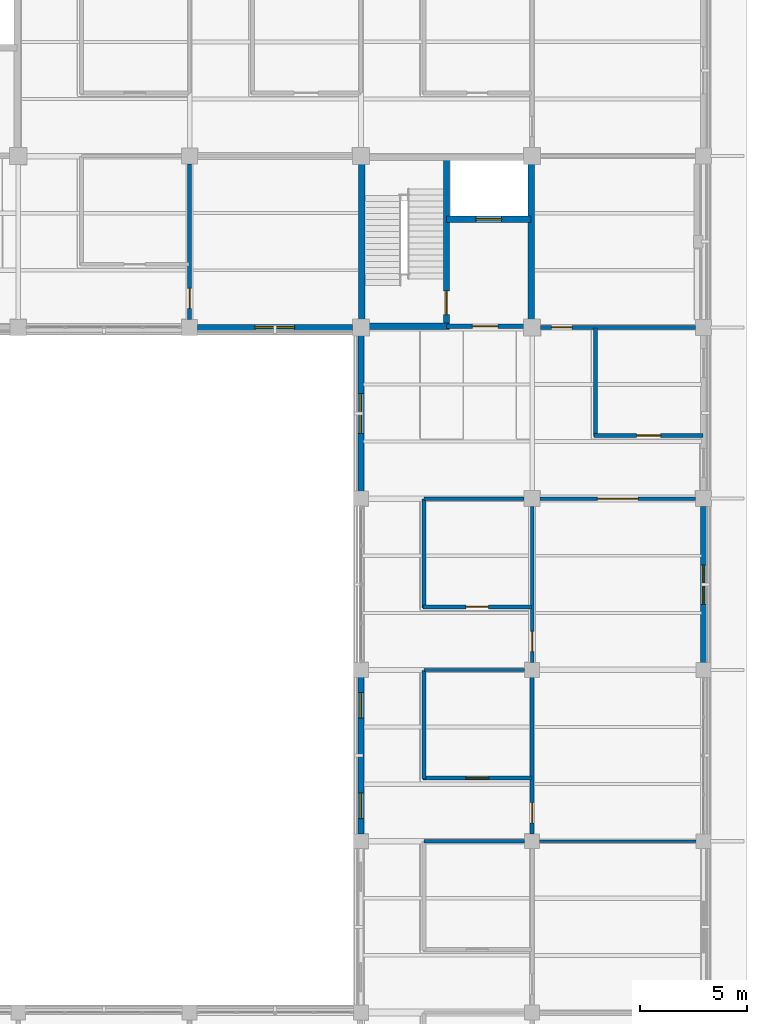
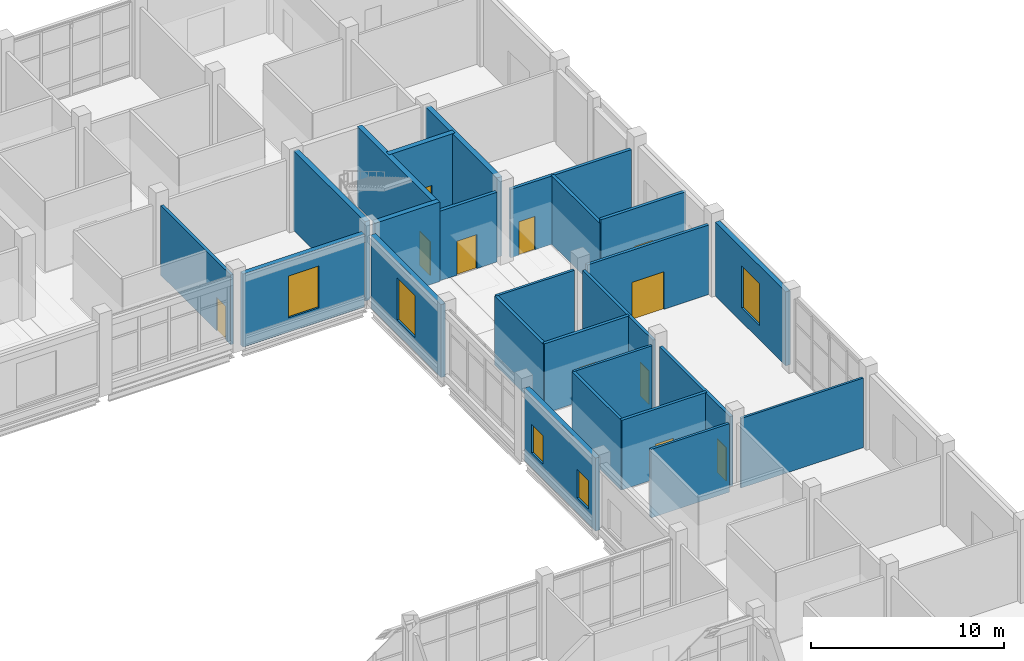
# One storey, part 79 of 105: 25 walls, 11 doors, 5 windows, 16 openings.
"""IFC4 building model written with IfcOpenShell, lengths in metres."""

from ifc_helpers import new_model, si_unit, derived_unit, direction, frame, frame_2d, origin, place, context, subcontext, project, spatial, rectangle, extrude, material, layer, layer_set, type_object, element, fill, save


model = new_model("IFC4")

# Units and contexts
model_context = context("Model", 3, precision=1e-05, world=origin(), true_north=direction((0.0, 1.0)))
body_context = subcontext(model_context, "Body", "Model", "MODEL_VIEW")
ifc_project = project(units=[si_unit("LENGTHUNIT", "METRE"), si_unit("AREAUNIT", "SQUARE_METRE"), si_unit("VOLUMEUNIT", "CUBIC_METRE"), si_unit("PLANEANGLEUNIT", "RADIAN"), si_unit("MASSUNIT", "GRAM", prefix="KILO"), derived_unit("THERMALTRANSMITTANCEUNIT", [(si_unit("MASSUNIT", "GRAM", prefix="KILO"), 1), (si_unit("TIMEUNIT", "SECOND"), -3), (si_unit("THERMODYNAMICTEMPERATUREUNIT", "KELVIN"), -1)])], contexts=[model_context])

# Site, building, storey
site_placement = place(None, origin())
site = spatial("IfcSite", under=ifc_project, at=site_placement, CompositionType="ELEMENT")
building_placement = place(site_placement, origin())
building = spatial("IfcBuilding", under=site, at=building_placement, Name="Veyamyaing Civic Hall", CompositionType="ELEMENT")
storey_placement = place(building_placement, origin())
storey = spatial("IfcBuildingStorey", under=building, at=storey_placement, Name="L00", CompositionType="ELEMENT", Elevation=0.0)

# Wall, opening, window
ifc_material_1 = material(Name="Precast concrete C40/50", Category="concrete")
ifc_layer_1 = layer(ifc_material_1, 0.280029296875, Name="Precast concrete C40/50")
ifc_layer_set_1 = layer_set([ifc_layer_1], Name="Precast concrete C40/50")
wall_type_1 = type_object("IfcWallType", Name="WT-04", PredefinedType="SOLIDWALL", material=ifc_layer_set_1)
wall_1_placement = place(storey_placement, frame((152.360107421875, 88.0, 0.0), z_axis=(0.0, 0.0, 1.0), x_axis=(1.0, 0.0, 0.0)))
wall_1 = element("IfcWall", 1, at=wall_1_placement, inside=storey, type_object=wall_type_1, Name="Exterior facade wall WT-04 L00 S 20.12", PredefinedType="SOLIDWALL", context=body_context, shape_type="SweptSolid", body=[
    extrude(rectangle(XDim=7.2548828125, YDim=0.280029296875, at=frame_2d((3.62744140625, 0.0))), origin(), (0.0, 0.0, 1.0), 4.614013671875),
])
opening_1_placement = place(wall_1_placement, frame((2.702392578125, 0.0, 0.89990234375)))
opening_1 = element("IfcOpeningElement", 2, at=opening_1_placement, cuts=wall_1, Name="Opening W-03", PredefinedType="OPENING", context=body_context, shape_type="SweptSolid", body=[
    extrude(rectangle(XDim=1.85009765625, YDim=2.64990234375, at=frame_2d((0.925048828125, 1.324951171875))), frame((0.0, 0.14990234375, 0.0), z_axis=(0.0, -1.0, 0.0), x_axis=(1.0, 0.0, 0.0)), (0.0, 0.0, 1.0), 0.300048828125),
])
ifc_material_2 = material(Name="Low-E insulated glass", Category="glass")
window_type_1 = type_object("IfcWindowType", Name="W-03", PartitioningType="SINGLE_PANEL", PredefinedType="WINDOW", material=ifc_material_2)
window_1_placement = place(opening_1_placement, origin())
window_1 = element("IfcWindow", 3, at=window_1_placement, inside=storey, type_object=window_type_1, Name="Facade window W-03 L00 S 20.12", OverallHeight=2.64990234375, OverallWidth=1.85009765625, PartitioningType="SINGLE_PANEL", PredefinedType="WINDOW", context=body_context, shape_type="SweptSolid", body=[
    extrude(rectangle(XDim=1.85009765625, YDim=2.64990234375, at=frame_2d((0.925048828125, 1.324951171875))), frame((0.0, 0.030029296875, 0.0), z_axis=(0.0, -1.0, 0.0), x_axis=(1.0, 0.0, 0.0)), (0.0, 0.0, 1.0), 0.06005859375),
])
fill(opening_1, window_1)

# Wall, openings, windows
wall_2_placement = place(storey_placement, frame((160.0, 64.3349609375, 0.0), z_axis=(0.0, 0.0, 1.0), x_axis=(0.0, 1.0, 0.0)))
wall_2 = element("IfcWall", 4, at=wall_2_placement, inside=storey, type_object=wall_type_1, Name="Exterior facade wall WT-04 L00 W 21.9", PredefinedType="SOLIDWALL", context=body_context, shape_type="SweptSolid", body=[
    extrude(rectangle(XDim=7.330078125, YDim=0.280029296875, at=frame_2d((3.6650390625, 0.0))), origin(), (0.0, 0.0, 1.0), 4.614990234375),
])
opening_2_placement = place(wall_2_placement, frame((0.719482421875, 0.0, 0.949951171875)))
opening_2 = element("IfcOpeningElement", 5, at=opening_2_placement, cuts=wall_2, Name="Opening W-14", PredefinedType="OPENING", context=body_context, shape_type="SweptSolid", body=[
    extrude(rectangle(XDim=1.199951171875, YDim=1.800048828125, at=frame_2d((0.60009765625, 0.89990234375))), frame((0.0, 0.14990234375, 0.0), z_axis=(0.0, -1.0, 0.0), x_axis=(1.0, 0.0, 0.0)), (0.0, 0.0, 1.0), 0.300048828125),
])
opening_3_placement = place(wall_2_placement, frame((5.41064453125, 0.0, 0.949951171875)))
opening_3 = element("IfcOpeningElement", 6, at=opening_3_placement, cuts=wall_2, Name="Opening W-14", PredefinedType="OPENING", context=body_context, shape_type="SweptSolid", body=[
    extrude(rectangle(XDim=1.199951171875, YDim=1.800048828125, at=frame_2d((0.60009765625, 0.89990234375))), frame((0.0, 0.14990234375, 0.0), z_axis=(0.0, -1.0, 0.0), x_axis=(1.0, 0.0, 0.0)), (0.0, 0.0, 1.0), 0.300048828125),
])
window_type_2 = type_object("IfcWindowType", Name="W-14", PartitioningType="SINGLE_PANEL", PredefinedType="WINDOW", material=ifc_material_2)
window_2_placement = place(opening_2_placement, origin())
window_2 = element("IfcWindow", 7, at=window_2_placement, inside=storey, type_object=window_type_2, Name="Facade window W-14 L00 W 21.9.1", OverallHeight=1.800048828125, OverallWidth=1.199951171875, PartitioningType="SINGLE_PANEL", PredefinedType="WINDOW", context=body_context, shape_type="SweptSolid", body=[
    extrude(rectangle(XDim=1.199951171875, YDim=1.800048828125, at=frame_2d((0.60009765625, 0.89990234375))), frame((0.0, 0.030029296875, 0.0), z_axis=(0.0, -1.0, 0.0), x_axis=(1.0, 0.0, 0.0)), (0.0, 0.0, 1.0), 0.06005859375),
])
fill(opening_2, window_2)
window_3_placement = place(opening_3_placement, origin())
window_3 = element("IfcWindow", 8, at=window_3_placement, inside=storey, type_object=window_type_2, Name="Facade window W-14 L00 W 21.9.2", OverallHeight=1.800048828125, OverallWidth=1.199951171875, PartitioningType="SINGLE_PANEL", PredefinedType="WINDOW", context=body_context, shape_type="SweptSolid", body=[
    extrude(rectangle(XDim=1.199951171875, YDim=1.800048828125, at=frame_2d((0.60009765625, 0.89990234375))), frame((0.0, 0.030029296875, 0.0), z_axis=(0.0, -1.0, 0.0), x_axis=(1.0, 0.0, 0.0)), (0.0, 0.0, 1.0), 0.06005859375),
])
fill(opening_3, window_3)

# Wall, opening, window
wall_3_placement = place(storey_placement, frame((160.0, 80.3349609375, 0.0), z_axis=(0.0, 0.0, 1.0), x_axis=(0.0, 1.0, 0.0)))
wall_3 = element("IfcWall", 9, at=wall_3_placement, inside=storey, type_object=wall_type_1, Name="Exterior facade wall WT-04 L00 W 21.11", PredefinedType="SOLIDWALL", context=body_context, shape_type="SweptSolid", body=[
    extrude(rectangle(XDim=7.280029296875, YDim=0.280029296875, at=frame_2d((3.64013671875, 0.0))), origin(), (0.0, 0.0, 1.0), 4.618896484375),
])
opening_4_placement = place(wall_3_placement, frame((2.715087890625, 0.0, 0.89990234375)))
opening_4 = element("IfcOpeningElement", 10, at=opening_4_placement, cuts=wall_3, Name="Opening W-03", PredefinedType="OPENING", context=body_context, shape_type="SweptSolid", body=[
    extrude(rectangle(XDim=1.85009765625, YDim=2.64990234375, at=frame_2d((0.925048828125, 1.324951171875))), frame((0.0, 0.14990234375, 0.0), z_axis=(0.0, -1.0, 0.0), x_axis=(1.0, 0.0, 0.0)), (0.0, 0.0, 1.0), 0.300048828125),
])
window_4_placement = place(opening_4_placement, origin())
window_4 = element("IfcWindow", 11, at=window_4_placement, inside=storey, type_object=window_type_1, Name="Facade window W-03 L00 W 21.11", OverallHeight=2.64990234375, OverallWidth=1.85009765625, PartitioningType="SINGLE_PANEL", PredefinedType="WINDOW", context=body_context, shape_type="SweptSolid", body=[
    extrude(rectangle(XDim=1.85009765625, YDim=2.64990234375, at=frame_2d((0.925048828125, 1.324951171875))), frame((0.0, 0.030029296875, 0.0), z_axis=(0.0, -1.0, 0.0), x_axis=(1.0, 0.0, 0.0)), (0.0, 0.0, 1.0), 0.06005859375),
])
fill(opening_4, window_4)

wall_4_placement = place(storey_placement, frame((176.0, 72.3349609375, 0.0), z_axis=(0.0, 0.0, 1.0), x_axis=(0.0, 1.0, 0.0)))
wall_4 = element("IfcWall", 12, at=wall_4_placement, inside=storey, type_object=wall_type_1, Name="Exterior facade wall WT-04 L00 E 22.10", PredefinedType="SOLIDWALL", context=body_context, shape_type="SweptSolid", body=[
    extrude(rectangle(XDim=7.304931640625, YDim=0.280029296875, at=frame_2d((3.65234375, 0.0))), origin(), (0.0, 0.0, 1.0), 4.677001953125),
])
opening_5_placement = place(wall_4_placement, frame((2.7275390625, 0.0, 0.89990234375)))
opening_5 = element("IfcOpeningElement", 13, at=opening_5_placement, cuts=wall_4, Name="Opening W-03", PredefinedType="OPENING", context=body_context, shape_type="SweptSolid", body=[
    extrude(rectangle(XDim=1.85009765625, YDim=2.64990234375, at=frame_2d((0.925048828125, 1.324951171875))), frame((0.0, 0.14990234375, 0.0), z_axis=(0.0, -1.0, 0.0), x_axis=(1.0, 0.0, 0.0)), (0.0, 0.0, 1.0), 0.300048828125),
])
window_5_placement = place(opening_5_placement, origin())
window_5 = element("IfcWindow", 14, at=window_5_placement, inside=storey, type_object=window_type_1, Name="Facade window W-03 L00 E 22.10", OverallHeight=2.64990234375, OverallWidth=1.85009765625, PartitioningType="SINGLE_PANEL", PredefinedType="WINDOW", context=body_context, shape_type="SweptSolid", body=[
    extrude(rectangle(XDim=1.85009765625, YDim=2.64990234375, at=frame_2d((0.925048828125, 1.324951171875))), frame((0.0, 0.030029296875, 0.0), z_axis=(0.0, -1.0, 0.0), x_axis=(1.0, 0.0, 0.0)), (0.0, 0.0, 1.0), 0.06005859375),
])
fill(opening_5, window_5)

# Walls
ifc_material_3 = material(Name="Concrete C40/50", Category="concrete")
ifc_layer_2 = layer(ifc_material_3, 0.300048828125, Name="Concrete C40/50")
ifc_layer_set_2 = layer_set([ifc_layer_2], Name="Concrete C40/50")
wall_type_2 = type_object("IfcWallType", Name="WT-05", PredefinedType="SHEAR", material=ifc_layer_set_2)
for number, where, z_axis, x_axis, name in (
    (15, (160.050048828125, 88.2900390625, 0.0), (0.0, 0.0, 1.0), (0.0, 1.0, 0.0), "Core shear wall WT-05 CORE-3 L00.W"),
    (16, (167.949951171875, 88.2900390625, 0.0), (0.0, 0.0, 1.0), (0.0, 1.0, 0.0), "Core shear wall WT-05 CORE-3 L00.E"),
):
    element("IfcWall", number, at=place(storey_placement, frame(where, z_axis=z_axis, x_axis=x_axis)), inside=storey, type_object=wall_type_2, Name=name, PredefinedType="SHEAR", context=body_context, shape_type="SweptSolid", body=[
        extrude(rectangle(XDim=7.419921875, YDim=0.300048828125, at=frame_2d((3.7099609375, 0.0))), origin(), (0.0, 0.0, 1.0), 5.034912109375),
    ])
wall_5_placement = place(storey_placement, frame((160.2900390625, 88.050048828125, 0.0), z_axis=(0.0, 0.0, 1.0), x_axis=(1.0, 0.0, 0.0)))
element("IfcWall", 17, at=wall_5_placement, inside=storey, type_object=wall_type_2, Name="Core shear wall WT-05 CORE-3 L00.SS", PredefinedType="SHEAR", context=body_context, shape_type="SweptSolid", body=[
    extrude(rectangle(XDim=3.85986328125, YDim=0.300048828125, at=frame_2d((1.929931640625, 0.0))), origin(), (0.0, 0.0, 1.0), 5.034912109375),
])

# Wall, opening, door
wall_6_placement = place(storey_placement, frame((164.0, 88.050048828125, 0.0), z_axis=(0.0, 0.0, 1.0), x_axis=(0.0, 1.0, 0.0)))
wall_6 = element("IfcWall", 18, at=wall_6_placement, inside=storey, type_object=wall_type_2, Name="Core shear wall WT-05 CORE-3 L00.MID", PredefinedType="SHEAR", context=body_context, shape_type="SweptSolid", body=[
    extrude(rectangle(XDim=7.89990234375, YDim=0.300048828125, at=frame_2d((3.949951171875, 0.0))), origin(), (0.0, 0.0, 1.0), 5.034912109375),
])
opening_6_placement = place(wall_6_placement, frame((0.550048828125, 0.0, 0.0)))
opening_6 = element("IfcOpeningElement", 19, at=opening_6_placement, cuts=wall_6, Name="Opening D-03", PredefinedType="OPENING", context=body_context, shape_type="SweptSolid", body=[
    extrude(rectangle(XDim=1.10009765625, YDim=2.14990234375, at=frame_2d((0.550048828125, 1.074951171875))), frame((0.0, 0.159912109375, 0.0), z_axis=(0.0, -1.0, 0.0), x_axis=(1.0, 0.0, 0.0)), (0.0, 0.0, 1.0), 0.320068359375),
])
ifc_material_4 = material(Name="Galvanized steel S355J2", Category="steel")
door_type_1 = type_object("IfcDoorType", Name="D-03", OperationType="NOTDEFINED", PredefinedType="DOOR", material=ifc_material_4)
door_1_placement = place(opening_6_placement, frame((1.10009765625, 0.0, 0.0), z_axis=(0.0, 0.0, 1.0), x_axis=(-1.0, 0.0, 0.0)))
door_1 = element("IfcDoor", 20, at=door_1_placement, inside=storey, type_object=door_type_1, Name="Exit stair fire door D-03 ST-03 L00", OperationType="SINGLE_SWING_RIGHT", OverallHeight=2.14990234375, OverallWidth=1.10009765625, PredefinedType="DOOR", context=body_context, shape_type="SweptSolid", body=[
    extrude(rectangle(XDim=1.10009765625, YDim=2.14990234375, at=frame_2d((0.550048828125, 1.074951171875))), frame((0.0, 0.02490234375, 0.0), z_axis=(0.0, -1.0, 0.0), x_axis=(1.0, 0.0, 0.0)), (0.0, 0.0, 1.0), 0.050048828125),
])
fill(opening_6, door_1)

wall_7_placement = place(storey_placement, frame((164.0, 93.050048828125, 0.0), z_axis=(0.0, 0.0, 1.0), x_axis=(1.0, 0.0, 0.0)))
wall_7 = element("IfcWall", 21, at=wall_7_placement, inside=storey, type_object=wall_type_2, Name="Core shear wall WT-05 CORE-3 L00.LFT", PredefinedType="SHEAR", context=body_context, shape_type="SweptSolid", body=[
    extrude(rectangle(XDim=3.949951171875, YDim=0.300048828125, at=frame_2d((1.97509765625, 0.0))), origin(), (0.0, 0.0, 1.0), 5.034912109375),
])
opening_7_placement = place(wall_7_placement, frame((1.375, 0.0, 0.0)))
opening_7 = element("IfcOpeningElement", 22, at=opening_7_placement, cuts=wall_7, Name="Opening LD-02", PredefinedType="OPENING", context=body_context, shape_type="SweptSolid", body=[
    extrude(rectangle(XDim=1.199951171875, YDim=2.199951171875, at=frame_2d((0.60009765625, 1.10009765625))), frame((0.0, 0.159912109375, 0.0), z_axis=(0.0, -1.0, 0.0), x_axis=(1.0, 0.0, 0.0)), (0.0, 0.0, 1.0), 0.320068359375),
])
door_type_2 = type_object("IfcDoorType", Name="LD-02", OperationType="SLIDING_TO_LEFT", PredefinedType="DOOR", material=ifc_material_4)
door_2_placement = place(opening_7_placement, origin())
door_2 = element("IfcDoor", 23, at=door_2_placement, inside=storey, type_object=door_type_2, Name="Lift sliding landing door LD-02 FL-02 L00", OperationType="SLIDING_TO_LEFT", OverallHeight=2.199951171875, OverallWidth=1.199951171875, PredefinedType="DOOR", context=body_context, shape_type="SweptSolid", body=[
    extrude(rectangle(XDim=1.199951171875, YDim=2.199951171875, at=frame_2d((0.60009765625, 1.10009765625))), frame((0.0, 0.02490234375, 0.0), z_axis=(0.0, -1.0, 0.0), x_axis=(1.0, 0.0, 0.0)), (0.0, 0.0, 1.0), 0.050048828125),
])
fill(opening_7, door_2)

ifc_layer_3 = layer(ifc_material_3, 0.199951171875, Name="Concrete C40/50")
ifc_layer_set_3 = layer_set([ifc_layer_3], Name="Concrete C40/50")
wall_type_3 = type_object("IfcWallType", Name="WT-06", PredefinedType="PARTITIONING", material=ifc_layer_set_3)
wall_8_placement = place(storey_placement, frame((164.0, 88.050048828125, 0.0), z_axis=(0.0, 0.0, 1.0), x_axis=(1.0, 0.0, 0.0)))
wall_8 = element("IfcWall", 24, at=wall_8_placement, inside=storey, type_object=wall_type_3, Name="Firefighting lift lobby wall WT-06 CORE-3 L00", PredefinedType="PARTITIONING", context=body_context, shape_type="SweptSolid", body=[
    extrude(rectangle(XDim=3.610107421875, YDim=0.199951171875, at=frame_2d((1.80517578125, 0.0))), origin(), (0.0, 0.0, 1.0), 4.404052734375),
])
opening_8_placement = place(wall_8_placement, frame((1.205078125, 0.0, 0.0)))
opening_8 = element("IfcOpeningElement", 25, at=opening_8_placement, cuts=wall_8, Name="Opening D-04", PredefinedType="OPENING", context=body_context, shape_type="SweptSolid", body=[
    extrude(rectangle(XDim=1.199951171875, YDim=2.14990234375, at=frame_2d((0.60009765625, 1.074951171875))), frame((0.0, 0.10986328125, 0.0), z_axis=(0.0, -1.0, 0.0), x_axis=(1.0, 0.0, 0.0)), (0.0, 0.0, 1.0), 0.219970703125),
])
door_type_3 = type_object("IfcDoorType", Name="D-04", OperationType="NOTDEFINED", PredefinedType="DOOR", material=ifc_material_4)
door_3_placement = place(opening_8_placement, frame((1.199951171875, 0.0, 0.0), z_axis=(0.0, 0.0, 1.0), x_axis=(-1.0, 0.0, 0.0)))
door_3 = element("IfcDoor", 26, at=door_3_placement, inside=storey, type_object=door_type_3, Name="Protected lobby fire door D-04 CORE-3 L00", OperationType="SINGLE_SWING_LEFT", OverallHeight=2.14990234375, OverallWidth=1.199951171875, PredefinedType="DOOR", context=body_context, shape_type="SweptSolid", body=[
    extrude(rectangle(XDim=1.199951171875, YDim=2.14990234375, at=frame_2d((0.60009765625, 1.074951171875))), frame((0.0, 0.02490234375, 0.0), z_axis=(0.0, -1.0, 0.0), x_axis=(1.0, 0.0, 0.0)), (0.0, 0.0, 1.0), 0.050048828125),
])
fill(opening_8, door_3)

ifc_material_5 = material(Name="Gypsum board on acoustic steel stud", Category="steel")
ifc_layer_4 = layer(ifc_material_5, 0.175048828125, Name="Gypsum board on acoustic steel stud")
ifc_layer_set_4 = layer_set([ifc_layer_4], Name="Gypsum board on acoustic steel stud")
wall_type_4 = type_object("IfcWallType", Name="WT-07", PredefinedType="PARTITIONING", material=ifc_layer_set_4)
wall_9_placement = place(storey_placement, frame((162.89990234375, 66.949951171875, 0.0), z_axis=(0.0, 0.0, 1.0), x_axis=(1.0, 0.0, 0.0)))
wall_9 = element("IfcWall", 27, at=wall_9_placement, inside=storey, type_object=wall_type_4, Name="Corridor gallery partition WT-07 L00.73.1", PredefinedType="PARTITIONING", context=body_context, shape_type="SweptSolid", body=[
    extrude(rectangle(XDim=5.080078125, YDim=0.175048828125, at=frame_2d((2.5400390625, 0.0))), origin(), (0.0, 0.0, 1.0), 4.412109375),
])
opening_9_placement = place(wall_9_placement, frame((2.0, 0.0, 0.0)))
opening_9 = element("IfcOpeningElement", 28, at=opening_9_placement, cuts=wall_9, Name="Opening D-23", PredefinedType="OPENING", context=body_context, shape_type="SweptSolid", body=[
    extrude(rectangle(XDim=1.080078125, YDim=2.199951171875, at=frame_2d((0.5400390625, 1.10009765625))), frame((0.0, 0.097412109375, 0.0), z_axis=(0.0, -1.0, 0.0), x_axis=(1.0, 0.0, 0.0)), (0.0, 0.0, 1.0), 0.195068359375),
])
ifc_material_6 = material(Name="Teak-veneered acoustic timber", Category="wood")
door_type_4 = type_object("IfcDoorType", Name="D-23", OperationType="NOTDEFINED", PredefinedType="DOOR", material=ifc_material_6)
door_4_placement = place(opening_9_placement, origin())
door_4 = element("IfcDoor", 29, at=door_4_placement, inside=storey, type_object=door_type_4, Name="Gallery office door D-23 L00.73", OperationType="SINGLE_SWING_RIGHT", OverallHeight=2.199951171875, OverallWidth=1.080078125, PredefinedType="DOOR", context=body_context, shape_type="SweptSolid", body=[
    extrude(rectangle(XDim=1.080078125, YDim=2.199951171875, at=frame_2d((0.5400390625, 1.10009765625))), frame((0.0, 0.02490234375, 0.0), z_axis=(0.0, -1.0, 0.0), x_axis=(1.0, 0.0, 0.0)), (0.0, 0.0, 1.0), 0.050048828125),
])
fill(opening_9, door_4)

# Wall
wall_10_placement = place(storey_placement, frame((162.949951171875, 66.89990234375, 0.0), z_axis=(0.0, 0.0, 1.0), x_axis=(0.0, 1.0, 0.0)))
element("IfcWall", 30, at=wall_10_placement, inside=storey, type_object=wall_type_4, Name="Corridor gallery partition WT-07 L00.73.2", PredefinedType="PARTITIONING", context=body_context, shape_type="SweptSolid", body=[
    extrude(rectangle(XDim=5.080078125, YDim=0.175048828125, at=frame_2d((2.5400390625, 0.0))), origin(), (0.0, 0.0, 1.0), 4.407958984375),
])

# Wall, opening, door
wall_11_placement = place(storey_placement, frame((152.0, 88.364990234375, 0.0), z_axis=(0.0, 0.0, 1.0), x_axis=(0.0, 1.0, 0.0)))
wall_11 = element("IfcWall", 31, at=wall_11_placement, inside=storey, type_object=wall_type_4, Name="Interior partition wall WT-07 L00.133", PredefinedType="PARTITIONING", context=body_context, shape_type="SweptSolid", body=[
    extrude(rectangle(XDim=7.27001953125, YDim=0.175048828125, at=frame_2d((3.635009765625, 0.0))), origin(), (0.0, 0.0, 1.0), 4.404052734375),
])
opening_10_placement = place(wall_11_placement, frame((0.52001953125, 0.0, 0.0)))
opening_10 = element("IfcOpeningElement", 32, at=opening_10_placement, cuts=wall_11, Name="Opening D-30", PredefinedType="OPENING", context=body_context, shape_type="SweptSolid", body=[
    extrude(rectangle(XDim=0.93994140625, YDim=2.1201171875, at=frame_2d((0.469970703125, 1.06005859375))), frame((0.0, 0.097412109375, 0.0), z_axis=(0.0, -1.0, 0.0), x_axis=(1.0, 0.0, 0.0)), (0.0, 0.0, 1.0), 0.195068359375),
])
door_type_5 = type_object("IfcDoorType", Name="D-30", OperationType="NOTDEFINED", PredefinedType="DOOR", material=ifc_material_6)
door_5_placement = place(opening_10_placement, frame((0.93994140625, 0.0, 0.0), z_axis=(0.0, 0.0, 1.0), x_axis=(-1.0, 0.0, 0.0)))
door_5 = element("IfcDoor", 33, at=door_5_placement, inside=storey, type_object=door_type_5, Name="Interior door D-30 L00.133", OperationType="SINGLE_SWING_LEFT", OverallHeight=2.1201171875, OverallWidth=0.93994140625, PredefinedType="DOOR", context=body_context, shape_type="SweptSolid", body=[
    extrude(rectangle(XDim=0.93994140625, YDim=2.1201171875, at=frame_2d((0.469970703125, 1.06005859375))), frame((0.0, 0.02490234375, 0.0), z_axis=(0.0, -1.0, 0.0), x_axis=(1.0, 0.0, 0.0)), (0.0, 0.0, 1.0), 0.050048828125),
])
fill(opening_10, door_5)

wall_12_placement = place(storey_placement, frame((168.0, 72.340087890625, 0.0), z_axis=(0.0, 0.0, 1.0), x_axis=(0.0, 1.0, 0.0)))
wall_12 = element("IfcWall", 34, at=wall_12_placement, inside=storey, type_object=wall_type_4, Name="Interior partition wall WT-07 L00.153", PredefinedType="PARTITIONING", context=body_context, shape_type="SweptSolid", body=[
    extrude(rectangle(XDim=7.294921875, YDim=0.175048828125, at=frame_2d((3.6474609375, 0.0))), origin(), (0.0, 0.0, 1.0), 4.404052734375),
])
opening_11_placement = place(wall_12_placement, frame((0.52001953125, 0.0, 0.0)))
opening_11 = element("IfcOpeningElement", 35, at=opening_11_placement, cuts=wall_12, Name="Opening D-30", PredefinedType="OPENING", context=body_context, shape_type="SweptSolid", body=[
    extrude(rectangle(XDim=0.93994140625, YDim=2.1201171875, at=frame_2d((0.469970703125, 1.06005859375))), frame((0.0, 0.097412109375, 0.0), z_axis=(0.0, -1.0, 0.0), x_axis=(1.0, 0.0, 0.0)), (0.0, 0.0, 1.0), 0.195068359375),
])
door_6_placement = place(opening_11_placement, frame((0.93994140625, 0.0, 0.0), z_axis=(0.0, 0.0, 1.0), x_axis=(-1.0, 0.0, 0.0)))
door_6 = element("IfcDoor", 36, at=door_6_placement, inside=storey, type_object=door_type_5, Name="Interior door D-30 L00.153", OperationType="SINGLE_SWING_LEFT", OverallHeight=2.1201171875, OverallWidth=0.93994140625, PredefinedType="DOOR", context=body_context, shape_type="SweptSolid", body=[
    extrude(rectangle(XDim=0.93994140625, YDim=2.1201171875, at=frame_2d((0.469970703125, 1.06005859375))), frame((0.0, 0.02490234375, 0.0), z_axis=(0.0, -1.0, 0.0), x_axis=(1.0, 0.0, 0.0)), (0.0, 0.0, 1.0), 0.050048828125),
])
fill(opening_11, door_6)

wall_13_placement = place(storey_placement, frame((168.364990234375, 80.0, 0.0), z_axis=(0.0, 0.0, 1.0), x_axis=(1.0, 0.0, 0.0)))
wall_13 = element("IfcWall", 37, at=wall_13_placement, inside=storey, type_object=wall_type_4, Name="Interior partition wall WT-07 L00.161", PredefinedType="PARTITIONING", context=body_context, shape_type="SweptSolid", body=[
    extrude(rectangle(XDim=7.27001953125, YDim=0.175048828125, at=frame_2d((3.635009765625, 0.0))), origin(), (0.0, 0.0, 1.0), 4.404052734375),
])
opening_12_placement = place(wall_13_placement, frame((2.68505859375, 0.0, 0.0)))
opening_12 = element("IfcOpeningElement", 38, at=opening_12_placement, cuts=wall_13, Name="Opening D-31", PredefinedType="OPENING", context=body_context, shape_type="SweptSolid", body=[
    extrude(rectangle(XDim=1.89990234375, YDim=2.3798828125, at=frame_2d((0.949951171875, 1.18994140625))), frame((0.0, 0.097412109375, 0.0), z_axis=(0.0, -1.0, 0.0), x_axis=(1.0, 0.0, 0.0)), (0.0, 0.0, 1.0), 0.195068359375),
])
door_type_6 = type_object("IfcDoorType", Name="D-31", OperationType="DOUBLE_DOOR_SINGLE_SWING", PredefinedType="DOOR", material=ifc_material_6)
door_7_placement = place(opening_12_placement, frame((1.89990234375, 0.0, 0.0), z_axis=(0.0, 0.0, 1.0), x_axis=(-1.0, 0.0, 0.0)))
door_7 = element("IfcDoor", 39, at=door_7_placement, inside=storey, type_object=door_type_6, Name="Interior door D-31 L00.161", OperationType="DOUBLE_DOOR_SINGLE_SWING", OverallHeight=2.3798828125, OverallWidth=1.89990234375, PredefinedType="DOOR", context=body_context, shape_type="SweptSolid", body=[
    extrude(rectangle(XDim=1.89990234375, YDim=2.3798828125, at=frame_2d((0.949951171875, 1.18994140625))), frame((0.0, 0.02490234375, 0.0), z_axis=(0.0, -1.0, 0.0), x_axis=(1.0, 0.0, 0.0)), (0.0, 0.0, 1.0), 0.050048828125),
])
fill(opening_12, door_7)

# Walls
ifc_material_7 = material(Name="Gypsum board on steel stud", Category="steel")
ifc_layer_5 = layer(ifc_material_7, 0.14990234375, Name="Gypsum board on steel stud")
ifc_layer_set_5 = layer_set([ifc_layer_5], Name="Gypsum board on steel stud")
wall_type_5 = type_object("IfcWallType", Name="WT-08", PredefinedType="PARTITIONING", material=ifc_layer_set_5)
wall_14_placement = place(storey_placement, frame((162.949951171875, 64.0, 0.0), z_axis=(0.0, 0.0, 1.0), x_axis=(1.0, 0.0, 0.0)))
element("IfcWall", 40, at=wall_14_placement, inside=storey, type_object=wall_type_5, Name="Gallery office end partition WT-08 L00.72.1", PredefinedType="PARTITIONING", context=body_context, shape_type="SweptSolid", body=[
    extrude(rectangle(XDim=4.68994140625, YDim=0.14990234375, at=frame_2d((2.344970703125, 0.0))), origin(), (0.0, 0.0, 1.0), 4.33203125),
])
wall_15_placement = place(storey_placement, frame((162.949951171875, 72.0, 0.0), z_axis=(0.0, 0.0, 1.0), x_axis=(1.0, 0.0, 0.0)))
element("IfcWall", 41, at=wall_15_placement, inside=storey, type_object=wall_type_5, Name="Gallery office end partition WT-08 L00.73.1", PredefinedType="PARTITIONING", context=body_context, shape_type="SweptSolid", body=[
    extrude(rectangle(XDim=4.68994140625, YDim=0.14990234375, at=frame_2d((2.344970703125, 0.0))), origin(), (0.0, 0.0, 1.0), 4.407958984375),
])
wall_16_placement = place(storey_placement, frame((162.949951171875, 80.0, 0.0), z_axis=(0.0, 0.0, 1.0), x_axis=(1.0, 0.0, 0.0)))
element("IfcWall", 42, at=wall_16_placement, inside=storey, type_object=wall_type_5, Name="Gallery office end partition WT-08 L00.74.1", PredefinedType="PARTITIONING", context=body_context, shape_type="SweptSolid", body=[
    extrude(rectangle(XDim=4.6650390625, YDim=0.14990234375, at=frame_2d((2.33251953125, 0.0))), origin(), (0.0, 0.0, 1.0), 4.341064453125),
])
ifc_layer_6 = layer(ifc_material_7, 0.135009765625, Name="Gypsum board on steel stud")
ifc_layer_set_6 = layer_set([ifc_layer_6], Name="Gypsum board on steel stud")
wall_type_6 = type_object("IfcWallType", Name="WT-15", PredefinedType="PARTITIONING", material=ifc_layer_set_6)
wall_17_placement = place(storey_placement, frame((168.340087890625, 64.0, 0.0), z_axis=(0.0, 0.0, 1.0), x_axis=(1.0, 0.0, 0.0)))
element("IfcWall", 43, at=wall_17_placement, inside=storey, type_object=wall_type_6, Name="Interior partition wall WT-15 L00.160", PredefinedType="PARTITIONING", context=body_context, shape_type="SweptSolid", body=[
    extrude(rectangle(XDim=7.31982421875, YDim=0.135009765625, at=frame_2d((3.659912109375, 0.0))), origin(), (0.0, 0.0, 1.0), 4.403076171875),
])

# Wall, opening, door
ifc_material_8 = material(Name="Gypsum board on double acoustic stud")
ifc_layer_7 = layer(ifc_material_8, 0.18505859375, Name="Gypsum board on double acoustic stud")
ifc_layer_set_7 = layer_set([ifc_layer_7], Name="Gypsum board on double acoustic stud")
wall_type_7 = type_object("IfcWallType", Name="WT-19", PredefinedType="PARTITIONING", material=ifc_layer_set_7)
wall_18_placement = place(storey_placement, frame((162.89990234375, 74.949951171875, 0.0), z_axis=(0.0, 0.0, 1.0), x_axis=(1.0, 0.0, 0.0)))
wall_18 = element("IfcWall", 44, at=wall_18_placement, inside=storey, type_object=wall_type_7, Name="Corridor gallery partition WT-19 L00.74.1", PredefinedType="PARTITIONING", context=body_context, shape_type="SweptSolid", body=[
    extrude(rectangle(XDim=5.080078125, YDim=0.18505859375, at=frame_2d((2.5400390625, 0.0))), origin(), (0.0, 0.0, 1.0), 4.404052734375),
])
opening_13_placement = place(wall_18_placement, frame((2.02001953125, 0.0, 0.0)))
opening_13 = element("IfcOpeningElement", 45, at=opening_13_placement, cuts=wall_18, Name="Opening D-24", PredefinedType="OPENING", context=body_context, shape_type="SweptSolid", body=[
    extrude(rectangle(XDim=1.0400390625, YDim=2.179931640625, at=frame_2d((0.52001953125, 1.08984375))), frame((0.0, 0.1025390625, 0.0), z_axis=(0.0, -1.0, 0.0), x_axis=(1.0, 0.0, 0.0)), (0.0, 0.0, 1.0), 0.205078125),
])
door_type_7 = type_object("IfcDoorType", Name="D-24", OperationType="NOTDEFINED", PredefinedType="DOOR", material=ifc_material_6)
door_8_placement = place(opening_13_placement, origin())
door_8 = element("IfcDoor", 46, at=door_8_placement, inside=storey, type_object=door_type_7, Name="Gallery office door D-24 L00.74", OperationType="SINGLE_SWING_LEFT", OverallHeight=2.179931640625, OverallWidth=1.0400390625, PredefinedType="DOOR", context=body_context, shape_type="SweptSolid", body=[
    extrude(rectangle(XDim=1.0400390625, YDim=2.179931640625, at=frame_2d((0.52001953125, 1.08984375))), frame((0.0, 0.02490234375, 0.0), z_axis=(0.0, -1.0, 0.0), x_axis=(1.0, 0.0, 0.0)), (0.0, 0.0, 1.0), 0.050048828125),
])
fill(opening_13, door_8)

# Wall
wall_19_placement = place(storey_placement, frame((162.949951171875, 74.89990234375, 0.0), z_axis=(0.0, 0.0, 1.0), x_axis=(0.0, 1.0, 0.0)))
element("IfcWall", 47, at=wall_19_placement, inside=storey, type_object=wall_type_7, Name="Corridor gallery partition WT-19 L00.74.2", PredefinedType="PARTITIONING", context=body_context, shape_type="SweptSolid", body=[
    extrude(rectangle(XDim=5.080078125, YDim=0.18505859375, at=frame_2d((2.5400390625, 0.0))), origin(), (0.0, 0.0, 1.0), 4.341064453125),
])

# Wall, opening, door
wall_20_placement = place(storey_placement, frame((170.89990234375, 82.949951171875, 0.0), z_axis=(0.0, 0.0, 1.0), x_axis=(1.0, 0.0, 0.0)))
wall_20 = element("IfcWall", 48, at=wall_20_placement, inside=storey, type_object=wall_type_7, Name="Corridor gallery partition WT-19 L00.76.1", PredefinedType="PARTITIONING", context=body_context, shape_type="SweptSolid", body=[
    extrude(rectangle(XDim=5.080078125, YDim=0.18505859375, at=frame_2d((2.5400390625, 0.0))), origin(), (0.0, 0.0, 1.0), 4.60302734375),
])
opening_14_placement = place(wall_20_placement, frame((1.97998046875, 0.0, 0.0)))
opening_14 = element("IfcOpeningElement", 49, at=opening_14_placement, cuts=wall_20, Name="Opening D-26", PredefinedType="OPENING", context=body_context, shape_type="SweptSolid", body=[
    extrude(rectangle(XDim=1.1201171875, YDim=2.219970703125, at=frame_2d((0.56005859375, 1.10986328125))), frame((0.0, 0.1025390625, 0.0), z_axis=(0.0, -1.0, 0.0), x_axis=(1.0, 0.0, 0.0)), (0.0, 0.0, 1.0), 0.205078125),
])
door_type_8 = type_object("IfcDoorType", Name="D-26", OperationType="NOTDEFINED", PredefinedType="DOOR", material=ifc_material_6)
door_9_placement = place(opening_14_placement, origin())
door_9 = element("IfcDoor", 50, at=door_9_placement, inside=storey, type_object=door_type_8, Name="Gallery office door D-26 L00.76", OperationType="SINGLE_SWING_LEFT", OverallHeight=2.219970703125, OverallWidth=1.1201171875, PredefinedType="DOOR", context=body_context, shape_type="SweptSolid", body=[
    extrude(rectangle(XDim=1.1201171875, YDim=2.219970703125, at=frame_2d((0.56005859375, 1.10986328125))), frame((0.0, 0.02490234375, 0.0), z_axis=(0.0, -1.0, 0.0), x_axis=(1.0, 0.0, 0.0)), (0.0, 0.0, 1.0), 0.050048828125),
])
fill(opening_14, door_9)

# Wall
wall_21_placement = place(storey_placement, frame((170.949951171875, 82.89990234375, 0.0), z_axis=(0.0, 0.0, 1.0), x_axis=(0.0, 1.0, 0.0)))
element("IfcWall", 51, at=wall_21_placement, inside=storey, type_object=wall_type_7, Name="Corridor gallery partition WT-19 L00.76.2", PredefinedType="PARTITIONING", context=body_context, shape_type="SweptSolid", body=[
    extrude(rectangle(XDim=5.080078125, YDim=0.18505859375, at=frame_2d((2.5400390625, 0.0))), origin(), (0.0, 0.0, 1.0), 4.326904296875),
])

# Wall, opening, door
wall_22_placement = place(storey_placement, frame((168.0, 64.340087890625, 0.0), z_axis=(0.0, 0.0, 1.0), x_axis=(0.0, 1.0, 0.0)))
wall_22 = element("IfcWall", 52, at=wall_22_placement, inside=storey, type_object=wall_type_7, Name="Interior partition wall WT-19 L00.152", PredefinedType="PARTITIONING", context=body_context, shape_type="SweptSolid", body=[
    extrude(rectangle(XDim=7.31982421875, YDim=0.18505859375, at=frame_2d((3.659912109375, 0.0))), origin(), (0.0, 0.0, 1.0), 4.412109375),
])
opening_15_placement = place(wall_22_placement, frame((0.52001953125, 0.0, 0.0)))
opening_15 = element("IfcOpeningElement", 53, at=opening_15_placement, cuts=wall_22, Name="Opening D-30", PredefinedType="OPENING", context=body_context, shape_type="SweptSolid", body=[
    extrude(rectangle(XDim=0.93994140625, YDim=2.1201171875, at=frame_2d((0.469970703125, 1.06005859375))), frame((0.0, 0.1025390625, 0.0), z_axis=(0.0, -1.0, 0.0), x_axis=(1.0, 0.0, 0.0)), (0.0, 0.0, 1.0), 0.205078125),
])
door_10_placement = place(opening_15_placement, frame((0.93994140625, 0.0, 0.0), z_axis=(0.0, 0.0, 1.0), x_axis=(-1.0, 0.0, 0.0)))
door_10 = element("IfcDoor", 54, at=door_10_placement, inside=storey, type_object=door_type_5, Name="Interior door D-30 L00.152", OperationType="SINGLE_SWING_RIGHT", OverallHeight=2.1201171875, OverallWidth=0.93994140625, PredefinedType="DOOR", context=body_context, shape_type="SweptSolid", body=[
    extrude(rectangle(XDim=0.93994140625, YDim=2.1201171875, at=frame_2d((0.469970703125, 1.06005859375))), frame((0.0, 0.02490234375, 0.0), z_axis=(0.0, -1.0, 0.0), x_axis=(1.0, 0.0, 0.0)), (0.0, 0.0, 1.0), 0.050048828125),
])
fill(opening_15, door_10)

wall_23_placement = place(storey_placement, frame((168.389892578125, 88.0, 0.0), z_axis=(0.0, 0.0, 1.0), x_axis=(1.0, 0.0, 0.0)))
wall_23 = element("IfcWall", 55, at=wall_23_placement, inside=storey, type_object=wall_type_7, Name="Interior partition wall WT-19 L00.162", PredefinedType="PARTITIONING", context=body_context, shape_type="SweptSolid", body=[
    extrude(rectangle(XDim=7.2451171875, YDim=0.18505859375, at=frame_2d((3.62255859375, 0.0))), origin(), (0.0, 0.0, 1.0), 4.326904296875),
])
opening_16_placement = place(wall_23_placement, frame((0.52001953125, 0.0, 0.0)))
opening_16 = element("IfcOpeningElement", 56, at=opening_16_placement, cuts=wall_23, Name="Opening D-30", PredefinedType="OPENING", context=body_context, shape_type="SweptSolid", body=[
    extrude(rectangle(XDim=0.93994140625, YDim=2.1201171875, at=frame_2d((0.469970703125, 1.06005859375))), frame((0.0, 0.1025390625, 0.0), z_axis=(0.0, -1.0, 0.0), x_axis=(1.0, 0.0, 0.0)), (0.0, 0.0, 1.0), 0.205078125),
])
door_11_placement = place(opening_16_placement, origin())
door_11 = element("IfcDoor", 57, at=door_11_placement, inside=storey, type_object=door_type_5, Name="Interior door D-30 L00.162", OperationType="SINGLE_SWING_RIGHT", OverallHeight=2.1201171875, OverallWidth=0.93994140625, PredefinedType="DOOR", context=body_context, shape_type="SweptSolid", body=[
    extrude(rectangle(XDim=0.93994140625, YDim=2.1201171875, at=frame_2d((0.469970703125, 1.06005859375))), frame((0.0, 0.02490234375, 0.0), z_axis=(0.0, -1.0, 0.0), x_axis=(1.0, 0.0, 0.0)), (0.0, 0.0, 1.0), 0.050048828125),
])
fill(opening_16, door_11)

save(model, "model.ifc")
